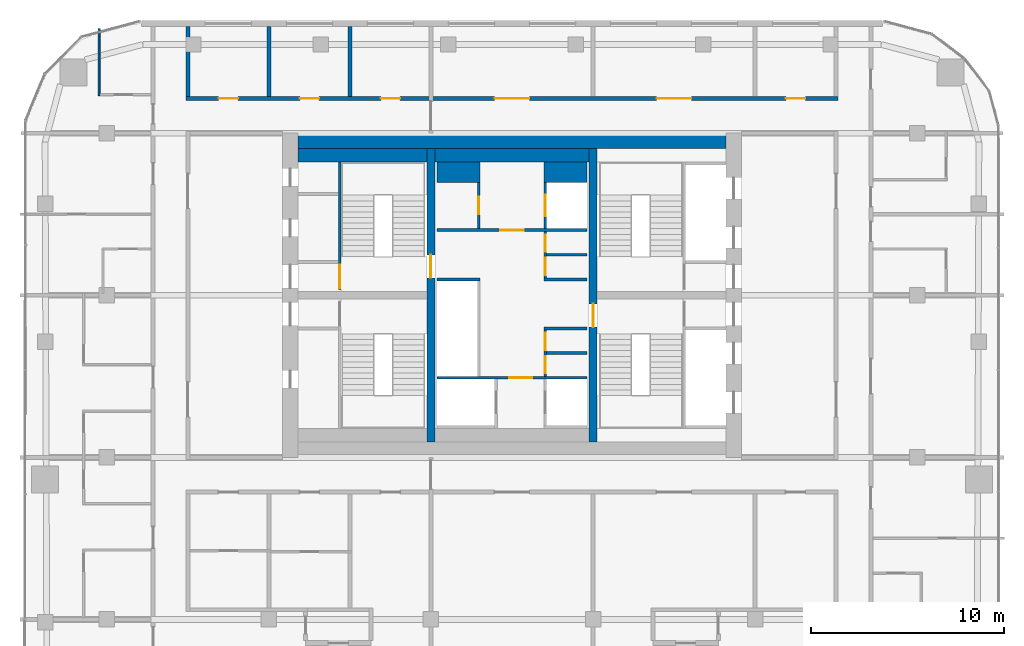
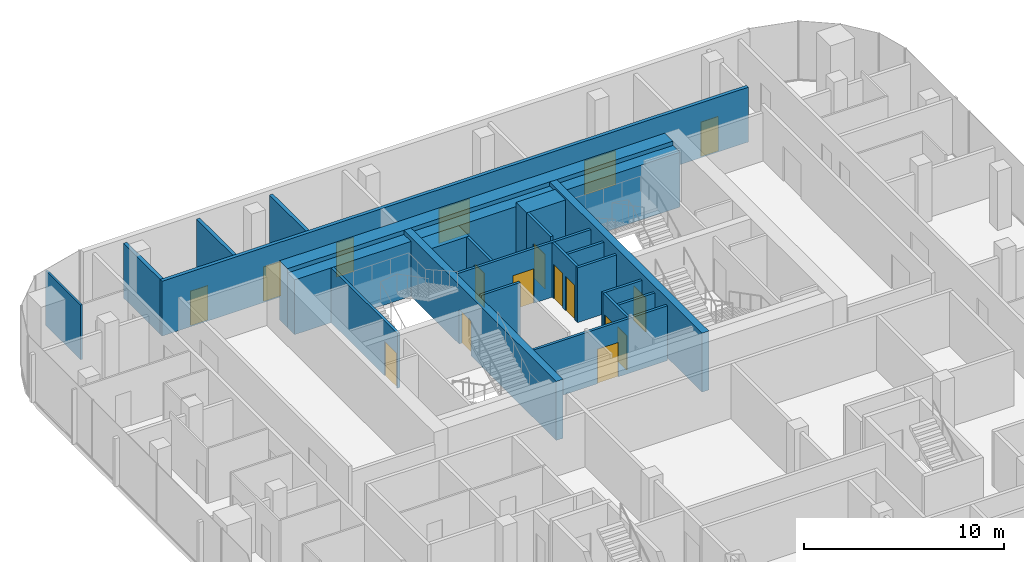
# One storey, part 18 of 21: 23 walls, 17 doors, 17 openings.
"""IFC4 building model written with IfcOpenShell, lengths in metres."""

from ifc_helpers import new_model, si_unit, direction, frame, frame_2d, origin, place, context, subcontext, project, spatial, rectangle, extrude, material, layer, layer_set, type_object, element, fill, save


model = new_model("IFC4")

# Units and contexts
model_context = context("Model", 3, precision=1e-05, world=origin(), true_north=direction((0.0, 1.0)))
body_context = subcontext(model_context, "Body", "Model", "MODEL_VIEW")
ifc_project = project(units=[si_unit("LENGTHUNIT", "METRE"), si_unit("AREAUNIT", "SQUARE_METRE"), si_unit("VOLUMEUNIT", "CUBIC_METRE"), si_unit("PLANEANGLEUNIT", "RADIAN"), si_unit("MASSUNIT", "GRAM", prefix="KILO")], contexts=[model_context])

# Site, building, storey
site_placement = place(None, origin())
site = spatial("IfcSite", under=ifc_project, at=site_placement, CompositionType="ELEMENT")
building_placement = place(site_placement, origin())
building = spatial("IfcBuilding", under=site, at=building_placement, Name="Marenta Gate Hotel Tower", CompositionType="ELEMENT")
storey_placement = place(building_placement, frame((0.0, 0.0, 202.10009765625)))
storey = spatial("IfcBuildingStorey", under=building, at=storey_placement, Name="L46", CompositionType="ELEMENT", Elevation=202.10009765625)

# Wall
ifc_material_1 = material(Name="Concrete C40", Category="concrete")
ifc_layer_1 = layer(ifc_material_1, 0.699951171875)
ifc_layer_set_1 = layer_set([ifc_layer_1], Name="Concrete C40")
wall_type_1 = type_object("IfcWallType", Name="Core lining wall 700 REI 180", PredefinedType="PARTITIONING", material=ifc_layer_set_1)
wall_1_placement = place(storey_placement, frame((-11.10009765625, 15.64990234375, 0.0), z_axis=(0.0, 0.0, 1.0), x_axis=(1.0, 0.0, 0.0)))
element("IfcWall", 1, at=wall_1_placement, inside=storey, type_object=wall_type_1, Name="L46-CP-LN-N", PredefinedType="PARTITIONING", context=body_context, shape_type="SweptSolid", body=[
    extrude(rectangle(XDim=22.2001953125, YDim=0.699951171875, at=frame_2d((11.10009765625, 0.0))), origin(), (0.0, 0.0, 1.0), 3.33984375),
])

# Wall, opening, door
ifc_material_2 = material(Name="Concrete blockwork", Category="masonry")
ifc_layer_2 = layer(ifc_material_2, 0.14990234375)
ifc_layer_set_2 = layer_set([ifc_layer_2], Name="Concrete blockwork")
wall_type_2 = type_object("IfcWallType", Name="Core lobby partition 150 REI 180", PredefinedType="PARTITIONING", material=ifc_layer_set_2)
wall_2_placement = place(storey_placement, frame((-3.89990234375, 4.125, 0.0), z_axis=(0.0, 0.0, 1.0), x_axis=(1.0, 0.0, 0.0)))
wall_2 = element("IfcWall", 2, at=wall_2_placement, inside=storey, type_object=wall_type_2, Name="L46-CP-CW-S", PredefinedType="PARTITIONING", context=body_context, shape_type="SweptSolid", body=[
    extrude(rectangle(XDim=7.7998046875, YDim=0.14990234375, at=frame_2d((3.89990234375, 0.0))), origin(), (0.0, 0.0, 1.0), 3.33984375),
])
opening_1_placement = place(wall_2_placement, frame((3.75, 0.0, 0.0)))
opening_1 = element("IfcOpeningElement", 3, at=opening_1_placement, cuts=wall_2, Name="Opening FD-FFS", PredefinedType="OPENING", context=body_context, shape_type="SweptSolid", body=[
    extrude(rectangle(XDim=1.199951171875, YDim=2.10009765625, at=frame_2d((0.60009765625, 1.050048828125))), frame((0.0, 0.074951171875, 0.0), z_axis=(0.0, -1.0, 0.0), x_axis=(1.0, 0.0, 0.0)), (0.0, 0.0, 1.0), 0.14990234375),
])
ifc_material_3 = material(Name="Steel", Category="steel")
door_type_1 = type_object("IfcDoorType", Name="Core lobby door 1200x2100 FD60", OperationType="SINGLE_SWING_LEFT", PredefinedType="DOOR", material=ifc_material_3)
door_1_placement = place(opening_1_placement, origin())
door_1 = element("IfcDoor", 4, at=door_1_placement, inside=storey, type_object=door_type_1, Name="FD-FFS", OperationType="SINGLE_SWING_LEFT", OverallHeight=2.10009765625, OverallWidth=1.199951171875, PredefinedType="DOOR", context=body_context, shape_type="SweptSolid", body=[
    extrude(rectangle(XDim=1.199951171875, YDim=2.10009765625, at=frame_2d((0.60009765625, 1.050048828125))), frame((0.0, 0.02490234375, 0.0), z_axis=(0.0, -1.0, 0.0), x_axis=(1.0, 0.0, 0.0)), (0.0, 0.0, 1.0), 0.050048828125),
])
fill(opening_1, door_1)

wall_3_placement = place(storey_placement, frame((-3.89990234375, 11.77490234375, 0.0), z_axis=(0.0, 0.0, 1.0), x_axis=(1.0, 0.0, 0.0)))
wall_3 = element("IfcWall", 5, at=wall_3_placement, inside=storey, type_object=wall_type_2, Name="L46-CP-CW-N", PredefinedType="PARTITIONING", context=body_context, shape_type="SweptSolid", body=[
    extrude(rectangle(XDim=7.7998046875, YDim=0.14990234375, at=frame_2d((3.89990234375, 0.0))), origin(), (0.0, 0.0, 1.0), 3.33984375),
])
opening_2_placement = place(wall_3_placement, frame((3.300048828125, 0.0, 0.0)))
opening_2 = element("IfcOpeningElement", 6, at=opening_2_placement, cuts=wall_3, Name="Opening FD-FFN", PredefinedType="OPENING", context=body_context, shape_type="SweptSolid", body=[
    extrude(rectangle(XDim=1.199951171875, YDim=2.10009765625, at=frame_2d((0.60009765625, 1.050048828125))), frame((0.0, 0.074951171875, 0.0), z_axis=(0.0, -1.0, 0.0), x_axis=(1.0, 0.0, 0.0)), (0.0, 0.0, 1.0), 0.14990234375),
])
door_2_placement = place(opening_2_placement, origin())
door_2 = element("IfcDoor", 7, at=door_2_placement, inside=storey, type_object=door_type_1, Name="FD-FFN", OperationType="SINGLE_SWING_LEFT", OverallHeight=2.10009765625, OverallWidth=1.199951171875, PredefinedType="DOOR", context=body_context, shape_type="SweptSolid", body=[
    extrude(rectangle(XDim=1.199951171875, YDim=2.10009765625, at=frame_2d((0.60009765625, 1.050048828125))), frame((0.0, 0.02490234375, 0.0), z_axis=(0.0, -1.0, 0.0), x_axis=(1.0, 0.0, 0.0)), (0.0, 0.0, 1.0), 0.050048828125),
])
fill(opening_2, door_2)

# Wall
ifc_material_4 = material(Name="Concrete blockwork", Category="masonry")
ifc_layer_3 = layer(ifc_material_4, 1.050048828125)
ifc_layer_set_3 = layer_set([ifc_layer_3], Name="Concrete blockwork")
wall_type_3 = type_object("IfcWallType", Name="Core room partition 1050 REI 180", PredefinedType="PARTITIONING", material=ifc_layer_set_3)
wall_4_placement = place(storey_placement, frame((-3.89990234375, 14.77490234375, 0.0), z_axis=(0.0, 0.0, 1.0), x_axis=(1.0, 0.0, 0.0)))
element("IfcWall", 8, at=wall_4_placement, inside=storey, type_object=wall_type_3, Name="L46-CP-CW-W-riser-N", PredefinedType="PARTITIONING", context=body_context, shape_type="SweptSolid", body=[
    extrude(rectangle(XDim=2.25, YDim=1.050048828125, at=frame_2d((1.125, 0.0))), origin(), (0.0, 0.0, 1.0), 3.33984375),
])

# Wall, opening, door
ifc_material_5 = material(Name="Concrete blockwork", Category="masonry")
ifc_layer_4 = layer(ifc_material_5, 0.14990234375)
ifc_layer_set_4 = layer_set([ifc_layer_4], Name="Concrete blockwork")
wall_type_4 = type_object("IfcWallType", Name="Core room partition 150 REI 180", PredefinedType="PARTITIONING", material=ifc_layer_set_4)
wall_5_placement = place(storey_placement, frame((-1.72509765625, 11.85009765625, 0.0), z_axis=(0.0, 0.0, 1.0), x_axis=(0.0, 1.0, 0.0)))
wall_5 = element("IfcWall", 9, at=wall_5_placement, inside=storey, type_object=wall_type_4, Name="L46-CP-CW-W-riser-front", PredefinedType="PARTITIONING", context=body_context, shape_type="SweptSolid", body=[
    extrude(rectangle(XDim=2.39990234375, YDim=0.14990234375, at=frame_2d((1.199951171875, 0.0))), origin(), (0.0, 0.0, 1.0), 3.33984375),
])
opening_3_placement = place(wall_5_placement, frame((0.75, 0.0, 0.0)))
opening_3 = element("IfcOpeningElement", 10, at=opening_3_placement, cuts=wall_5, Name="Opening RD-CRISER", PredefinedType="OPENING", context=body_context, shape_type="SweptSolid", body=[
    extrude(rectangle(XDim=0.89990234375, YDim=2.10009765625, at=frame_2d((0.449951171875, 1.050048828125))), frame((0.0, 0.074951171875, 0.0), z_axis=(0.0, -1.0, 0.0), x_axis=(1.0, 0.0, 0.0)), (0.0, 0.0, 1.0), 0.14990234375),
])
ifc_material_6 = material(Name="Steel", Category="steel")
door_type_2 = type_object("IfcDoorType", Name="Core riser door 900x2100 FD60", OperationType="SINGLE_SWING_LEFT", PredefinedType="DOOR", material=ifc_material_6)
door_3_placement = place(opening_3_placement, origin())
door_3 = element("IfcDoor", 11, at=door_3_placement, inside=storey, type_object=door_type_2, Name="RD-CRISER", OperationType="SINGLE_SWING_LEFT", OverallHeight=2.10009765625, OverallWidth=0.89990234375, PredefinedType="DOOR", context=body_context, shape_type="SweptSolid", body=[
    extrude(rectangle(XDim=0.89990234375, YDim=2.10009765625, at=frame_2d((0.449951171875, 1.050048828125))), frame((0.0, 0.02490234375, 0.0), z_axis=(0.0, -1.0, 0.0), x_axis=(1.0, 0.0, 0.0)), (0.0, 0.0, 1.0), 0.050048828125),
])
fill(opening_3, door_3)

# Walls
for number, where, z_axis, x_axis, name in (
    (12, (1.64990234375, 6.675048828125, 0.0), (0.0, 0.0, 1.0), (1.0, 0.0, 0.0), "L46-CP-CE-sep1"),
    (13, (1.64990234375, 9.22509765625, 0.0), (0.0, 0.0, 1.0), (1.0, 0.0, 0.0), "L46-CP-CE-sep2"),
):
    element("IfcWall", number, at=place(storey_placement, frame(where, z_axis=z_axis, x_axis=x_axis)), inside=storey, type_object=wall_type_4, Name=name, PredefinedType="PARTITIONING", context=body_context, shape_type="SweptSolid", body=[
        extrude(rectangle(XDim=2.25, YDim=0.14990234375, at=frame_2d((1.125, 0.0))), origin(), (0.0, 0.0, 1.0), 3.33984375),
    ])

# Wall, openings, doors
wall_6_placement = place(storey_placement, frame((1.72509765625, 4.199951171875, 0.0), z_axis=(0.0, 0.0, 1.0), x_axis=(0.0, 1.0, 0.0)))
wall_6 = element("IfcWall", 14, at=wall_6_placement, inside=storey, type_object=wall_type_4, Name="L46-CP-CE-front-1", PredefinedType="PARTITIONING", context=body_context, shape_type="SweptSolid", body=[
    extrude(rectangle(XDim=2.400146484375, YDim=0.14990234375, at=frame_2d((1.2001953125, 0.0))), origin(), (0.0, 0.0, 1.0), 3.33984375),
])
opening_4_placement = place(wall_6_placement, frame((0.14990234375, 0.0, 0.0)))
opening_4 = element("IfcOpeningElement", 15, at=opening_4_placement, cuts=wall_6, Name="Opening RD-CE-1a", PredefinedType="OPENING", context=body_context, shape_type="SweptSolid", body=[
    extrude(rectangle(XDim=0.89990234375, YDim=2.10009765625, at=frame_2d((0.449951171875, 1.050048828125))), frame((0.0, 0.074951171875, 0.0), z_axis=(0.0, -1.0, 0.0), x_axis=(1.0, 0.0, 0.0)), (0.0, 0.0, 1.0), 0.14990234375),
])
opening_5_placement = place(wall_6_placement, frame((1.35009765625, 0.0, 0.0)))
opening_5 = element("IfcOpeningElement", 16, at=opening_5_placement, cuts=wall_6, Name="Opening RD-CE-1b-B", PredefinedType="OPENING", context=body_context, shape_type="SweptSolid", body=[
    extrude(rectangle(XDim=0.89990234375, YDim=2.10009765625, at=frame_2d((0.449951171875, 1.050048828125))), frame((0.0, 0.074951171875, 0.0), z_axis=(0.0, -1.0, 0.0), x_axis=(1.0, 0.0, 0.0)), (0.0, 0.0, 1.0), 0.14990234375),
])
ifc_material_7 = material(Name="Steel", Category="steel")
door_type_3 = type_object("IfcDoorType", Name="Core service room door 900x2100 FD30S", OperationType="SINGLE_SWING_LEFT", PredefinedType="DOOR", material=ifc_material_7)
door_4_placement = place(opening_4_placement, origin())
door_4 = element("IfcDoor", 17, at=door_4_placement, inside=storey, type_object=door_type_3, Name="RD-CE-1a", OperationType="SINGLE_SWING_LEFT", OverallHeight=2.10009765625, OverallWidth=0.89990234375, PredefinedType="DOOR", context=body_context, shape_type="SweptSolid", body=[
    extrude(rectangle(XDim=0.89990234375, YDim=2.10009765625, at=frame_2d((0.449951171875, 1.050048828125))), frame((0.0, 0.02490234375, 0.0), z_axis=(0.0, -1.0, 0.0), x_axis=(1.0, 0.0, 0.0)), (0.0, 0.0, 1.0), 0.050048828125),
])
fill(opening_4, door_4)
door_5_placement = place(opening_5_placement, origin())
door_5 = element("IfcDoor", 18, at=door_5_placement, inside=storey, type_object=door_type_3, Name="RD-CE-1b-B", OperationType="SINGLE_SWING_LEFT", OverallHeight=2.10009765625, OverallWidth=0.89990234375, PredefinedType="DOOR", context=body_context, shape_type="SweptSolid", body=[
    extrude(rectangle(XDim=0.89990234375, YDim=2.10009765625, at=frame_2d((0.449951171875, 1.050048828125))), frame((0.0, 0.02490234375, 0.0), z_axis=(0.0, -1.0, 0.0), x_axis=(1.0, 0.0, 0.0)), (0.0, 0.0, 1.0), 0.050048828125),
])
fill(opening_5, door_5)

wall_7_placement = place(storey_placement, frame((1.72509765625, 9.300048828125, 0.0), z_axis=(0.0, 0.0, 1.0), x_axis=(0.0, 1.0, 0.0)))
wall_7 = element("IfcWall", 19, at=wall_7_placement, inside=storey, type_object=wall_type_4, Name="L46-CP-CE-front-2", PredefinedType="PARTITIONING", context=body_context, shape_type="SweptSolid", body=[
    extrude(rectangle(XDim=2.39990234375, YDim=0.14990234375, at=frame_2d((1.199951171875, 0.0))), origin(), (0.0, 0.0, 1.0), 3.33984375),
])
opening_6_placement = place(wall_7_placement, frame((0.14990234375, 0.0, 0.0)))
opening_6 = element("IfcOpeningElement", 20, at=opening_6_placement, cuts=wall_7, Name="Opening RD-CE-2a", PredefinedType="OPENING", context=body_context, shape_type="SweptSolid", body=[
    extrude(rectangle(XDim=0.89990234375, YDim=2.10009765625, at=frame_2d((0.449951171875, 1.050048828125))), frame((0.0, 0.074951171875, 0.0), z_axis=(0.0, -1.0, 0.0), x_axis=(1.0, 0.0, 0.0)), (0.0, 0.0, 1.0), 0.14990234375),
])
opening_7_placement = place(wall_7_placement, frame((1.35009765625, 0.0, 0.0)))
opening_7 = element("IfcOpeningElement", 21, at=opening_7_placement, cuts=wall_7, Name="Opening RD-CE-2b-B", PredefinedType="OPENING", context=body_context, shape_type="SweptSolid", body=[
    extrude(rectangle(XDim=0.89990234375, YDim=2.10009765625, at=frame_2d((0.449951171875, 1.050048828125))), frame((0.0, 0.074951171875, 0.0), z_axis=(0.0, -1.0, 0.0), x_axis=(1.0, 0.0, 0.0)), (0.0, 0.0, 1.0), 0.14990234375),
])
door_6_placement = place(opening_6_placement, origin())
door_6 = element("IfcDoor", 22, at=door_6_placement, inside=storey, type_object=door_type_3, Name="RD-CE-2a", OperationType="SINGLE_SWING_LEFT", OverallHeight=2.10009765625, OverallWidth=0.89990234375, PredefinedType="DOOR", context=body_context, shape_type="SweptSolid", body=[
    extrude(rectangle(XDim=0.89990234375, YDim=2.10009765625, at=frame_2d((0.449951171875, 1.050048828125))), frame((0.0, 0.02490234375, 0.0), z_axis=(0.0, -1.0, 0.0), x_axis=(1.0, 0.0, 0.0)), (0.0, 0.0, 1.0), 0.050048828125),
])
fill(opening_6, door_6)
door_7_placement = place(opening_7_placement, origin())
door_7 = element("IfcDoor", 23, at=door_7_placement, inside=storey, type_object=door_type_3, Name="RD-CE-2b-B", OperationType="SINGLE_SWING_LEFT", OverallHeight=2.10009765625, OverallWidth=0.89990234375, PredefinedType="DOOR", context=body_context, shape_type="SweptSolid", body=[
    extrude(rectangle(XDim=0.89990234375, YDim=2.10009765625, at=frame_2d((0.449951171875, 1.050048828125))), frame((0.0, 0.02490234375, 0.0), z_axis=(0.0, -1.0, 0.0), x_axis=(1.0, 0.0, 0.0)), (0.0, 0.0, 1.0), 0.050048828125),
])
fill(opening_7, door_7)

# Walls
for number, where, z_axis, x_axis, name in (
    (24, (1.800048828125, 5.39990234375, 0.0), (0.0, 0.0, 1.0), (1.0, 0.0, 0.0), "L46-CP-CE-RW-1"),
    (25, (1.800048828125, 10.5, 0.0), (0.0, 0.0, 1.0), (1.0, 0.0, 0.0), "L46-CP-CE-RW-2"),
):
    element("IfcWall", number, at=place(storey_placement, frame(where, z_axis=z_axis, x_axis=x_axis)), inside=storey, type_object=wall_type_4, Name=name, PredefinedType="PARTITIONING", context=body_context, shape_type="SweptSolid", body=[
        extrude(rectangle(XDim=2.099853515625, YDim=0.14990234375, at=frame_2d((1.0498046875, 0.0))), origin(), (0.0, 0.0, 1.0), 3.33984375),
    ])
ifc_material_8 = material(Name="Concrete C40", Category="concrete")
ifc_layer_5 = layer(ifc_material_8, 1.050048828125)
ifc_layer_set_5 = layer_set([ifc_layer_5], Name="Concrete C40")
wall_type_5 = type_object("IfcWallType", Name="Core shaft wall 1050 REI 180", PredefinedType="SHEAR", material=ifc_layer_set_5)
wall_8_placement = place(storey_placement, frame((1.64990234375, 14.77490234375, 0.0), z_axis=(0.0, 0.0, 1.0), x_axis=(1.0, 0.0, 0.0)))
element("IfcWall", 26, at=wall_8_placement, inside=storey, type_object=wall_type_5, Name="L46-SHF-CE-N-top", PredefinedType="SHEAR", context=body_context, shape_type="SweptSolid", body=[
    extrude(rectangle(XDim=2.25, YDim=1.050048828125, at=frame_2d((1.125, 0.0))), origin(), (0.0, 0.0, 1.0), 3.599853515625),
])
ifc_material_9 = material(Name="Concrete C40", Category="concrete")
ifc_layer_6 = layer(ifc_material_9, 0.14990234375)
ifc_layer_set_6 = layer_set([ifc_layer_6], Name="Concrete C40")
wall_type_6 = type_object("IfcWallType", Name="Core shaft wall 150 REI 180", PredefinedType="SHEAR", material=ifc_layer_set_6)
wall_9_placement = place(storey_placement, frame((-3.89990234375, 9.22509765625, 0.0), z_axis=(0.0, 0.0, 1.0), x_axis=(1.0, 0.0, 0.0)))
element("IfcWall", 27, at=wall_9_placement, inside=storey, type_object=wall_type_6, Name="L46-SHF-CW-W-sep", PredefinedType="SHEAR", context=body_context, shape_type="SweptSolid", body=[
    extrude(rectangle(XDim=2.25, YDim=0.14990234375, at=frame_2d((1.125, 0.0))), origin(), (0.0, 0.0, 1.0), 3.599853515625),
])

# Wall, opening, door
wall_10_placement = place(storey_placement, frame((1.72509765625, 11.85009765625, 0.0), z_axis=(0.0, 0.0, 1.0), x_axis=(0.0, 1.0, 0.0)))
wall_10 = element("IfcWall", 28, at=wall_10_placement, inside=storey, type_object=wall_type_6, Name="L46-SHF-CE-N-front2", PredefinedType="SHEAR", context=body_context, shape_type="SweptSolid", body=[
    extrude(rectangle(XDim=2.39990234375, YDim=0.14990234375, at=frame_2d((1.199951171875, 0.0))), origin(), (0.0, 0.0, 1.0), 3.599853515625),
])
opening_8_placement = place(wall_10_placement, frame((0.64990234375, 0.0, 0.0)))
opening_8 = element("IfcOpeningElement", 29, at=opening_8_placement, cuts=wall_10, Name="Opening LD-FF2", PredefinedType="OPENING", context=body_context, shape_type="SweptSolid", body=[
    extrude(rectangle(XDim=1.10009765625, YDim=2.10009765625, at=frame_2d((0.550048828125, 1.050048828125))), frame((0.0, 0.074951171875, 0.0), z_axis=(0.0, -1.0, 0.0), x_axis=(1.0, 0.0, 0.0)), (0.0, 0.0, 1.0), 0.14990234375),
])
ifc_material_10 = material(Name="Steel", Category="steel")
door_type_4 = type_object("IfcDoorType", Name="Core lift landing door 1100x2100 E 60", OperationType="SLIDING_TO_LEFT", PredefinedType="DOOR", material=ifc_material_10)
door_8_placement = place(opening_8_placement, origin())
door_8 = element("IfcDoor", 30, at=door_8_placement, inside=storey, type_object=door_type_4, Name="LD-FF2", OperationType="SLIDING_TO_LEFT", OverallHeight=2.10009765625, OverallWidth=1.10009765625, PredefinedType="DOOR", context=body_context, shape_type="SweptSolid", body=[
    extrude(rectangle(XDim=1.10009765625, YDim=2.10009765625, at=frame_2d((0.550048828125, 1.050048828125))), frame((0.0, 0.02490234375, 0.0), z_axis=(0.0, -1.0, 0.0), x_axis=(1.0, 0.0, 0.0)), (0.0, 0.0, 1.0), 0.050048828125),
])
fill(opening_8, door_8)

ifc_material_11 = material(Name="Concrete C40", Category="concrete")
ifc_layer_7 = layer(ifc_material_11, 0.14990234375)
ifc_layer_set_7 = layer_set([ifc_layer_7], Name="Concrete C40")
wall_type_7 = type_object("IfcWallType", Name="Core stair enclosure wall 150 REI 180", PredefinedType="SHEAR", material=ifc_layer_set_7)
wall_11_placement = place(storey_placement, frame((-8.925048828125, 8.699951171875, 0.0), z_axis=(0.0, 0.0, 1.0), x_axis=(0.0, 1.0, 0.0)))
wall_11 = element("IfcWall", 31, at=wall_11_placement, inside=storey, type_object=wall_type_7, Name="L46-SHF-SW-WN-3", PredefinedType="SHEAR", context=body_context, shape_type="SweptSolid", body=[
    extrude(rectangle(XDim=6.60009765625, YDim=0.14990234375, at=frame_2d((3.300048828125, 0.0))), origin(), (0.0, 0.0, 1.0), 3.33984375),
])
opening_9_placement = place(wall_11_placement, frame((0.074951171875, 0.0, 0.0)))
opening_9 = element("IfcOpeningElement", 32, at=opening_9_placement, cuts=wall_11, Name="Opening SD-WN", PredefinedType="OPENING", context=body_context, shape_type="SweptSolid", body=[
    extrude(rectangle(XDim=1.199951171875, YDim=2.10009765625, at=frame_2d((0.60009765625, 1.050048828125))), frame((0.0, 0.074951171875, 0.0), z_axis=(0.0, -1.0, 0.0), x_axis=(1.0, 0.0, 0.0)), (0.0, 0.0, 1.0), 0.14990234375),
])
ifc_material_12 = material(Name="Steel", Category="steel")
door_type_5 = type_object("IfcDoorType", Name="Core stair door 1200x2100 FD60", OperationType="SINGLE_SWING_LEFT", PredefinedType="DOOR", material=ifc_material_12)
door_9_placement = place(opening_9_placement, origin())
door_9 = element("IfcDoor", 33, at=door_9_placement, inside=storey, type_object=door_type_5, Name="SD-WN", OperationType="SINGLE_SWING_LEFT", OverallHeight=2.10009765625, OverallWidth=1.199951171875, PredefinedType="DOOR", context=body_context, shape_type="SweptSolid", body=[
    extrude(rectangle(XDim=1.199951171875, YDim=2.10009765625, at=frame_2d((0.60009765625, 1.050048828125))), frame((0.0, 0.02490234375, 0.0), z_axis=(0.0, -1.0, 0.0), x_axis=(1.0, 0.0, 0.0)), (0.0, 0.0, 1.0), 0.050048828125),
])
fill(opening_9, door_9)

# Wall
ifc_material_13 = material(Name="Concrete C60", Category="concrete")
ifc_layer_8 = layer(ifc_material_13, 0.800048828125)
ifc_layer_set_8 = layer_set([ifc_layer_8], Name="Concrete C60")
wall_type_8 = type_object("IfcWallType", Name="Core wall 800 C60", PredefinedType="SHEAR", material=ifc_layer_set_8)
wall_12_placement = place(storey_placement, frame((-11.10009765625, 16.39990234375, 0.0), z_axis=(0.0, 0.0, 1.0), x_axis=(1.0, 0.0, 0.0)))
element("IfcWall", 34, at=wall_12_placement, inside=storey, type_object=wall_type_8, Name="L46-CORE-N", PredefinedType="SHEAR", context=body_context, shape_type="SweptSolid", body=[
    extrude(rectangle(XDim=22.2001953125, YDim=0.800048828125, at=frame_2d((11.10009765625, 0.0))), origin(), (0.0, 0.0, 1.0), 3.599853515625),
])

# Wall, opening, door
ifc_material_14 = material(Name="Concrete C60", Category="concrete")
ifc_layer_9 = layer(ifc_material_14, 0.39990234375)
ifc_layer_set_9 = layer_set([ifc_layer_9], Name="Concrete C60")
wall_type_9 = type_object("IfcWallType", Name="Core web 400 C60", PredefinedType="SHEAR", material=ifc_layer_set_9)
wall_13_placement = place(storey_placement, frame((-4.199951171875, 0.800048828125, 0.0), z_axis=(0.0, 0.0, 1.0), x_axis=(0.0, 1.0, 0.0)))
wall_13 = element("IfcWall", 35, at=wall_13_placement, inside=storey, type_object=wall_type_9, Name="L46-CORE-W1", PredefinedType="SHEAR", context=body_context, shape_type="SweptSolid", body=[
    extrude(rectangle(XDim=15.199951171875, YDim=0.39990234375, at=frame_2d((7.60009765625, 0.0))), origin(), (0.0, 0.0, 1.0), 3.599853515625),
])
opening_10_placement = place(wall_13_placement, frame((8.5, 0.0, 0.0)))
opening_10 = element("IfcOpeningElement", 36, at=opening_10_placement, cuts=wall_13, Name="Opening WD-W", PredefinedType="OPENING", context=body_context, shape_type="SweptSolid", body=[
    extrude(rectangle(XDim=1.199951171875, YDim=2.10009765625, at=frame_2d((0.60009765625, 1.050048828125))), frame((0.0, 0.199951171875, 0.0), z_axis=(0.0, -1.0, 0.0), x_axis=(1.0, 0.0, 0.0)), (0.0, 0.0, 1.0), 0.39990234375),
])
door_10_placement = place(opening_10_placement, origin())
door_10 = element("IfcDoor", 37, at=door_10_placement, inside=storey, type_object=door_type_5, Name="WD-W", OperationType="SINGLE_SWING_LEFT", OverallHeight=2.10009765625, OverallWidth=1.199951171875, PredefinedType="DOOR", context=body_context, shape_type="SweptSolid", body=[
    extrude(rectangle(XDim=1.199951171875, YDim=2.10009765625, at=frame_2d((0.60009765625, 1.050048828125))), frame((0.0, 0.02490234375, 0.0), z_axis=(0.0, -1.0, 0.0), x_axis=(1.0, 0.0, 0.0)), (0.0, 0.0, 1.0), 0.050048828125),
])
fill(opening_10, door_10)

wall_14_placement = place(storey_placement, frame((4.199951171875, 0.800048828125, 0.0), z_axis=(0.0, 0.0, 1.0), x_axis=(0.0, 1.0, 0.0)))
wall_14 = element("IfcWall", 38, at=wall_14_placement, inside=storey, type_object=wall_type_9, Name="L46-CORE-W2", PredefinedType="SHEAR", context=body_context, shape_type="SweptSolid", body=[
    extrude(rectangle(XDim=15.199951171875, YDim=0.39990234375, at=frame_2d((7.60009765625, 0.0))), origin(), (0.0, 0.0, 1.0), 3.599853515625),
])
opening_11_placement = place(wall_14_placement, frame((5.949951171875, 0.0, 0.0)))
opening_11 = element("IfcOpeningElement", 39, at=opening_11_placement, cuts=wall_14, Name="Opening WD-E", PredefinedType="OPENING", context=body_context, shape_type="SweptSolid", body=[
    extrude(rectangle(XDim=1.199951171875, YDim=2.10009765625, at=frame_2d((0.60009765625, 1.050048828125))), frame((0.0, 0.199951171875, 0.0), z_axis=(0.0, -1.0, 0.0), x_axis=(1.0, 0.0, 0.0)), (0.0, 0.0, 1.0), 0.39990234375),
])
door_11_placement = place(opening_11_placement, origin())
door_11 = element("IfcDoor", 40, at=door_11_placement, inside=storey, type_object=door_type_5, Name="WD-E", OperationType="SINGLE_SWING_LEFT", OverallHeight=2.10009765625, OverallWidth=1.199951171875, PredefinedType="DOOR", context=body_context, shape_type="SweptSolid", body=[
    extrude(rectangle(XDim=1.199951171875, YDim=2.10009765625, at=frame_2d((0.60009765625, 1.050048828125))), frame((0.0, 0.02490234375, 0.0), z_axis=(0.0, -1.0, 0.0), x_axis=(1.0, 0.0, 0.0)), (0.0, 0.0, 1.0), 0.050048828125),
])
fill(opening_11, door_11)

# Wall
ifc_material_15 = material(Name="Gypsum board on steel stud", Category="steel")
ifc_layer_10 = layer(ifc_material_15, 0.199951171875)
ifc_layer_set_10 = layer_set([ifc_layer_10], Name="Gypsum board on steel stud")
wall_type_10 = type_object("IfcWallType", Name="Room corridor wall 200 EI 60", PredefinedType="PARTITIONING", material=ifc_layer_set_10)
wall_15_placement = place(storey_placement, frame((-16.800048828125, 18.699951171875, 0.0), z_axis=(0.0, 0.0, 1.0), x_axis=(0.0, 1.0, 0.0)))
element("IfcWall", 41, at=wall_15_placement, inside=storey, type_object=wall_type_10, Name="L46-PTN-W096", PredefinedType="PARTITIONING", context=body_context, shape_type="SweptSolid", body=[
    extrude(rectangle(XDim=3.64013671875, YDim=0.199951171875, at=frame_2d((1.820068359375, 0.0))), origin(), (0.0, 0.0, 1.0), 3.33984375),
])

# Wall, openings, doors
wall_16_placement = place(storey_placement, frame((-16.89990234375, 18.60009765625, 0.0), z_axis=(0.0, 0.0, 1.0), x_axis=(1.0, 0.0, 0.0)))
wall_16 = element("IfcWall", 42, at=wall_16_placement, inside=storey, type_object=wall_type_10, Name="L46-PTN-W100", PredefinedType="PARTITIONING", context=body_context, shape_type="SweptSolid", body=[
    extrude(rectangle(XDim=33.7998046875, YDim=0.199951171875, at=frame_2d((16.89990234375, 0.0))), origin(), (0.0, 0.0, 1.0), 3.33984375),
])
opening_12_placement = place(wall_16_placement, frame((1.699951171875, 0.0, 0.0)))
opening_12 = element("IfcOpeningElement", 43, at=opening_12_placement, cuts=wall_16, Name="Opening G16-29", PredefinedType="OPENING", context=body_context, shape_type="SweptSolid", body=[
    extrude(rectangle(XDim=1.0, YDim=2.10009765625, at=frame_2d((0.5, 1.050048828125))), frame((0.0, 0.10009765625, 0.0), z_axis=(0.0, -1.0, 0.0), x_axis=(1.0, 0.0, 0.0)), (0.0, 0.0, 1.0), 0.199951171875),
])
opening_13_placement = place(wall_16_placement, frame((16.0, 0.0, 0.0)))
opening_13 = element("IfcOpeningElement", 44, at=opening_13_placement, cuts=wall_16, Name="Opening G16-30", PredefinedType="OPENING", context=body_context, shape_type="SweptSolid", body=[
    extrude(rectangle(XDim=1.800048828125, YDim=2.10009765625, at=frame_2d((0.89990234375, 1.050048828125))), frame((0.0, 0.10009765625, 0.0), z_axis=(0.0, -1.0, 0.0), x_axis=(1.0, 0.0, 0.0)), (0.0, 0.0, 1.0), 0.199951171875),
])
opening_14_placement = place(wall_16_placement, frame((24.39990234375, 0.0, 0.0)))
opening_14 = element("IfcOpeningElement", 45, at=opening_14_placement, cuts=wall_16, Name="Opening G16-31", PredefinedType="OPENING", context=body_context, shape_type="SweptSolid", body=[
    extrude(rectangle(XDim=1.800048828125, YDim=2.10009765625, at=frame_2d((0.89990234375, 1.050048828125))), frame((0.0, 0.10009765625, 0.0), z_axis=(0.0, -1.0, 0.0), x_axis=(1.0, 0.0, 0.0)), (0.0, 0.0, 1.0), 0.199951171875),
])
opening_15_placement = place(wall_16_placement, frame((31.10009765625, 0.0, 0.0)))
opening_15 = element("IfcOpeningElement", 46, at=opening_15_placement, cuts=wall_16, Name="Opening G16-32", PredefinedType="OPENING", context=body_context, shape_type="SweptSolid", body=[
    extrude(rectangle(XDim=1.0, YDim=2.10009765625, at=frame_2d((0.5, 1.050048828125))), frame((0.0, 0.10009765625, 0.0), z_axis=(0.0, -1.0, 0.0), x_axis=(1.0, 0.0, 0.0)), (0.0, 0.0, 1.0), 0.199951171875),
])
opening_16_placement = place(wall_16_placement, frame((5.89990234375, 0.0, 0.0)))
opening_16 = element("IfcOpeningElement", 47, at=opening_16_placement, cuts=wall_16, Name="Opening G16-66", PredefinedType="OPENING", context=body_context, shape_type="SweptSolid", body=[
    extrude(rectangle(XDim=1.0, YDim=2.10009765625, at=frame_2d((0.5, 1.050048828125))), frame((0.0, 0.10009765625, 0.0), z_axis=(0.0, -1.0, 0.0), x_axis=(1.0, 0.0, 0.0)), (0.0, 0.0, 1.0), 0.199951171875),
])
opening_17_placement = place(wall_16_placement, frame((10.10009765625, 0.0, 0.0)))
opening_17 = element("IfcOpeningElement", 48, at=opening_17_placement, cuts=wall_16, Name="Opening G16-67", PredefinedType="OPENING", context=body_context, shape_type="SweptSolid", body=[
    extrude(rectangle(XDim=1.0, YDim=2.10009765625, at=frame_2d((0.5, 1.050048828125))), frame((0.0, 0.10009765625, 0.0), z_axis=(0.0, -1.0, 0.0), x_axis=(1.0, 0.0, 0.0)), (0.0, 0.0, 1.0), 0.199951171875),
])
ifc_material_16 = material(Name="Timber door leaf", Category="wood")
door_type_6 = type_object("IfcDoorType", Name="Room amenity door 1000x2100 EI 30", OperationType="NOTDEFINED", PredefinedType="DOOR", material=ifc_material_16)
door_12_placement = place(opening_12_placement, origin())
door_12 = element("IfcDoor", 49, at=door_12_placement, inside=storey, type_object=door_type_6, Name="L46-PD-D029", OperationType="SINGLE_SWING_LEFT", OverallHeight=2.10009765625, OverallWidth=1.0, PredefinedType="DOOR", context=body_context, shape_type="SweptSolid", body=[
    extrude(rectangle(XDim=1.0, YDim=2.10009765625, at=frame_2d((0.5, 1.050048828125))), frame((0.0, 0.02490234375, 0.0), z_axis=(0.0, -1.0, 0.0), x_axis=(1.0, 0.0, 0.0)), (0.0, 0.0, 1.0), 0.050048828125),
])
fill(opening_12, door_12)
door_13_placement = place(opening_15_placement, origin())
door_13 = element("IfcDoor", 50, at=door_13_placement, inside=storey, type_object=door_type_6, Name="L46-PD-D032", OperationType="SINGLE_SWING_RIGHT", OverallHeight=2.10009765625, OverallWidth=1.0, PredefinedType="DOOR", context=body_context, shape_type="SweptSolid", body=[
    extrude(rectangle(XDim=1.0, YDim=2.10009765625, at=frame_2d((0.5, 1.050048828125))), frame((0.0, 0.02490234375, 0.0), z_axis=(0.0, -1.0, 0.0), x_axis=(1.0, 0.0, 0.0)), (0.0, 0.0, 1.0), 0.050048828125),
])
fill(opening_15, door_13)
door_14_placement = place(opening_16_placement, origin())
door_14 = element("IfcDoor", 51, at=door_14_placement, inside=storey, type_object=door_type_6, Name="L46-PD-D066", OperationType="SINGLE_SWING_RIGHT", OverallHeight=2.10009765625, OverallWidth=1.0, PredefinedType="DOOR", context=body_context, shape_type="SweptSolid", body=[
    extrude(rectangle(XDim=1.0, YDim=2.10009765625, at=frame_2d((0.5, 1.050048828125))), frame((0.0, 0.02490234375, 0.0), z_axis=(0.0, -1.0, 0.0), x_axis=(1.0, 0.0, 0.0)), (0.0, 0.0, 1.0), 0.050048828125),
])
fill(opening_16, door_14)
door_15_placement = place(opening_17_placement, origin())
door_15 = element("IfcDoor", 52, at=door_15_placement, inside=storey, type_object=door_type_6, Name="L46-PD-D067", OperationType="SINGLE_SWING_LEFT", OverallHeight=2.10009765625, OverallWidth=1.0, PredefinedType="DOOR", context=body_context, shape_type="SweptSolid", body=[
    extrude(rectangle(XDim=1.0, YDim=2.10009765625, at=frame_2d((0.5, 1.050048828125))), frame((0.0, 0.02490234375, 0.0), z_axis=(0.0, -1.0, 0.0), x_axis=(1.0, 0.0, 0.0)), (0.0, 0.0, 1.0), 0.050048828125),
])
fill(opening_17, door_15)
ifc_material_17 = material(Name="Timber door leaf", Category="wood")
door_type_7 = type_object("IfcDoorType", Name="Room amenity door 1800x2100 EI 30", OperationType="DOUBLE_DOOR_SINGLE_SWING", PredefinedType="DOOR", material=ifc_material_17)
door_16_placement = place(opening_13_placement, origin())
door_16 = element("IfcDoor", 53, at=door_16_placement, inside=storey, type_object=door_type_7, Name="L46-PD-D030", OperationType="DOUBLE_DOOR_SINGLE_SWING", OverallHeight=2.10009765625, OverallWidth=1.800048828125, PredefinedType="DOOR", context=body_context, shape_type="SweptSolid", body=[
    extrude(rectangle(XDim=1.800048828125, YDim=2.10009765625, at=frame_2d((0.89990234375, 1.050048828125))), frame((0.0, 0.02490234375, 0.0), z_axis=(0.0, -1.0, 0.0), x_axis=(1.0, 0.0, 0.0)), (0.0, 0.0, 1.0), 0.050048828125),
])
fill(opening_13, door_16)
door_17_placement = place(opening_14_placement, origin())
door_17 = element("IfcDoor", 54, at=door_17_placement, inside=storey, type_object=door_type_7, Name="L46-PD-D031", OperationType="DOUBLE_DOOR_SINGLE_SWING", OverallHeight=2.10009765625, OverallWidth=1.800048828125, PredefinedType="DOOR", context=body_context, shape_type="SweptSolid", body=[
    extrude(rectangle(XDim=1.800048828125, YDim=2.10009765625, at=frame_2d((0.89990234375, 1.050048828125))), frame((0.0, 0.02490234375, 0.0), z_axis=(0.0, -1.0, 0.0), x_axis=(1.0, 0.0, 0.0)), (0.0, 0.0, 1.0), 0.050048828125),
])
fill(opening_14, door_17)

# Walls
ifc_material_18 = material(Name="Gypsum board on steel stud", Category="steel")
ifc_layer_11 = layer(ifc_material_18, 0.10009765625)
ifc_layer_set_11 = layer_set([ifc_layer_11], Name="Gypsum board on steel stud")
wall_type_11 = type_object("IfcWallType", Name="Room partition 100", PredefinedType="PARTITIONING", material=ifc_layer_set_11)
wall_17_placement = place(storey_placement, frame((-21.39990234375, 18.75, 0.0), z_axis=(0.0, 0.0, 1.0), x_axis=(0.0, 1.0, 0.0)))
element("IfcWall", 55, at=wall_17_placement, inside=storey, type_object=wall_type_11, Name="L46-PTN-W104", PredefinedType="PARTITIONING", context=body_context, shape_type="SweptSolid", body=[
    extrude(rectangle(XDim=3.47802734375, YDim=0.10009765625, at=frame_2d((1.739013671875, 0.0))), origin(), (0.0, 0.0, 1.0), 3.33984375),
])
ifc_material_19 = material(Name="Gypsum board on steel stud", Category="steel")
ifc_layer_12 = layer(ifc_material_19, 0.199951171875)
ifc_layer_set_12 = layer_set([ifc_layer_12], Name="Gypsum board on steel stud")
wall_type_12 = type_object("IfcWallType", Name="Room party wall 200 EI 60", PredefinedType="PARTITIONING", material=ifc_layer_set_12)
for number, where, z_axis, x_axis, name in (
    (56, (-8.39990234375, 18.699951171875, 0.0), (0.0, 0.0, 1.0), (0.0, 1.0, 0.0), "L46-PTN-W078"),
    (57, (-12.60009765625, 18.699951171875, 0.0), (0.0, 0.0, 1.0), (0.0, 1.0, 0.0), "L46-PTN-W087"),
):
    element("IfcWall", number, at=place(storey_placement, frame(where, z_axis=z_axis, x_axis=x_axis)), inside=storey, type_object=wall_type_12, Name=name, PredefinedType="PARTITIONING", context=body_context, shape_type="SweptSolid", body=[
        extrude(rectangle(XDim=3.64013671875, YDim=0.199951171875, at=frame_2d((1.820068359375, 0.0))), origin(), (0.0, 0.0, 1.0), 3.33984375),
    ])

save(model, "model.ifc")
